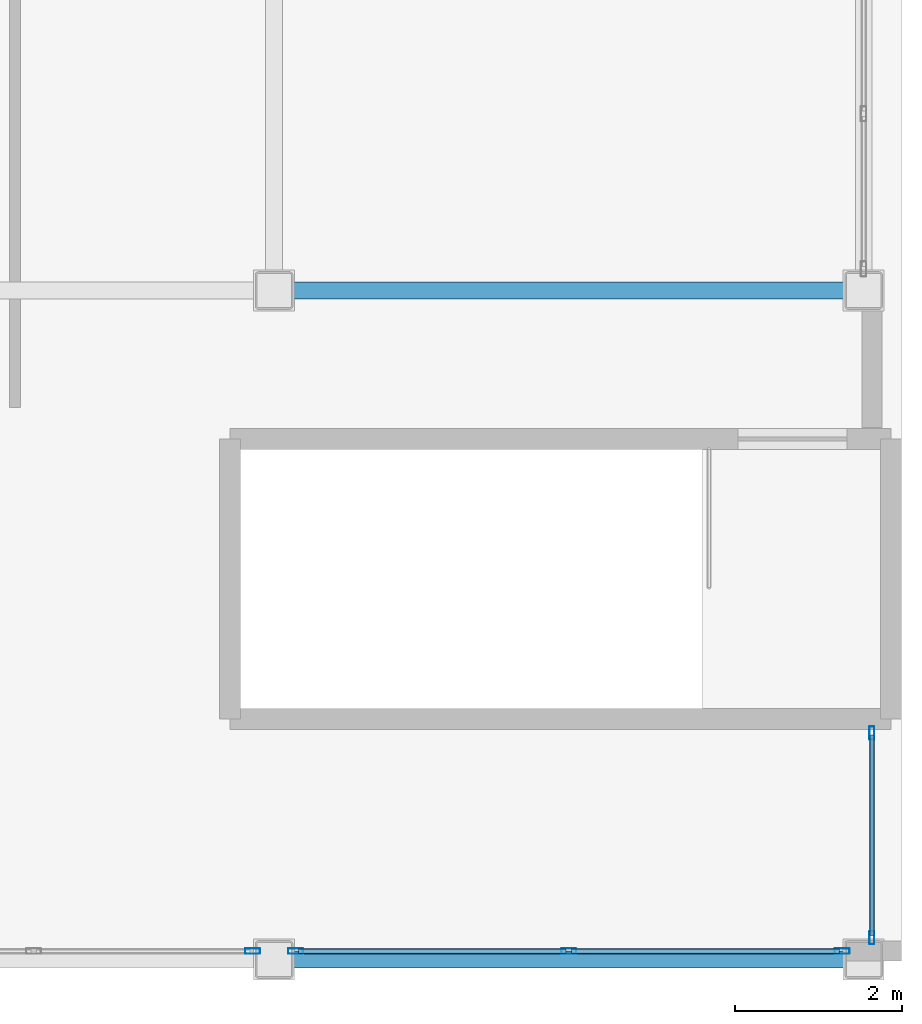
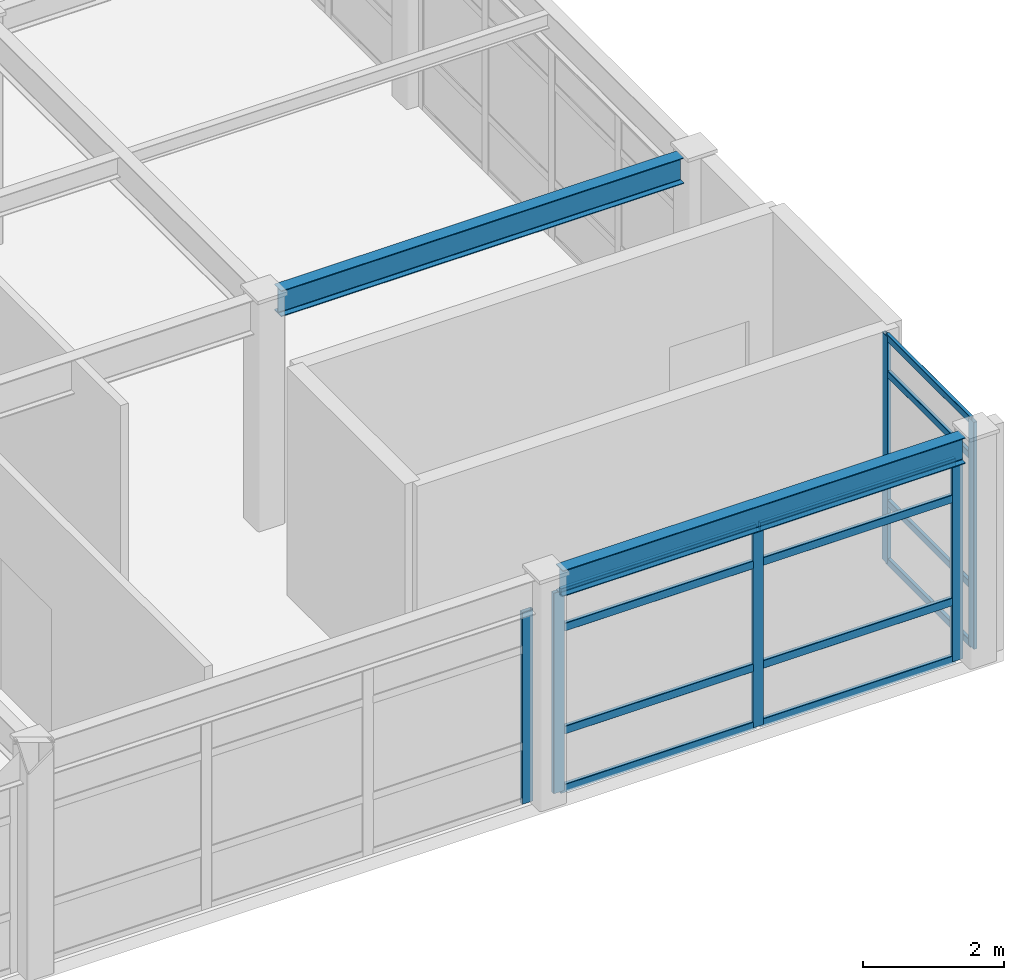
# One storey, part 7 of 34: 18 members, 2 beams, 3 elements without a shape of their own.
"""IFC4 building model written with IfcOpenShell, lengths in metres."""

from ifc_helpers import new_model, si_unit, direction, frame, origin, origin_2d, place, context, subcontext, project, spatial, hollow_rectangle, i_section, extrude, material, layer, layer_set, material_profile, profile_set, type_object, element, aggregate, save


model = new_model("IFC4")

# Units and contexts
model_context = context("Model", 3, precision=1e-05, world=origin(), true_north=direction((0.0, 1.0)))
body_context = subcontext(model_context, "Body", "Model", "MODEL_VIEW")
ifc_project = project(units=[si_unit("LENGTHUNIT", "METRE"), si_unit("AREAUNIT", "SQUARE_METRE"), si_unit("VOLUMEUNIT", "CUBIC_METRE"), si_unit("PLANEANGLEUNIT", "RADIAN"), si_unit("MASSUNIT", "GRAM", prefix="KILO")], contexts=[model_context])

# Site, building, storey
site_placement = place(None, origin())
site = spatial("IfcSite", under=ifc_project, at=site_placement, CompositionType="ELEMENT")
building_placement = place(site_placement, origin())
building = spatial("IfcBuilding", under=site, at=building_placement, Name="Kazehara Bluff Congress Hotel", CompositionType="ELEMENT")
storey_placement = place(building_placement, frame((0.0, 0.0, 46.199951171875)))
storey = spatial("IfcBuildingStorey", under=building, at=storey_placement, Name="L11", CompositionType="ELEMENT", Elevation=46.199951171875)

# Curtain wall, members
ifc_material_1 = material(Name="Anodised aluminium", Category="aluminium")
ifc_layer_1 = layer(ifc_material_1, 0.159912109375)
ifc_layer_set_1 = layer_set([ifc_layer_1], Name="Anodised aluminium")
curtain_wall_type_1 = type_object("IfcCurtainWallType", Name="TP-CW-208", PredefinedType="NOTDEFINED", material=ifc_layer_set_1)
curtain_wall_1_placement = place(storey_placement, origin())
curtain_wall_1 = element("IfcCurtainWall", 1, at=curtain_wall_1_placement, inside=storey, type_object=curtain_wall_type_1, Name="L11 curtain wall CW-208 CW-ENC-V5-L11-16765-1748", PredefinedType="NOTDEFINED")
ifc_material_2 = material(Name="Anodised aluminium", Category="aluminium")
ifc_material_profile_1 = material_profile(ifc_material_2, hollow_rectangle(XDim=0.06005859375, YDim=0.159912109375, WallThickness=0.00390625, InnerFilletRadius=0.00390625, OuterFilletRadius=0.008056640625, at=origin_2d()))
ifc_profile_set_1 = profile_set([ifc_material_profile_1], Name="Anodised aluminium")
member_type_1 = type_object("IfcMemberType", Name="TP-CWM-01", PredefinedType="MULLION", material=ifc_profile_set_1)
member_1_placement = place(storey_placement, frame((167.64990234375, 18.7099609375, 0.0), z_axis=(0.0, 0.0, 1.0), x_axis=(1.0, 0.0, 0.0)))
member_1 = element("IfcMember", 2, at=member_1_placement, type_object=member_type_1, Name="CW-208 mullion 1", PredefinedType="MULLION", context=body_context, shape_type="SweptSolid", body=[
    extrude(hollow_rectangle(XDim=0.06005859375, YDim=0.159912109375, WallThickness=0.00390625, InnerFilletRadius=0.00390625, OuterFilletRadius=0.008056640625, at=origin_2d()), origin(), (0.0, 0.0, 1.0), 3.93505859375),
])
member_2_placement = place(storey_placement, frame((167.64990234375, 16.260009765625, 0.0), z_axis=(0.0, 0.0, 1.0), x_axis=(1.0, 0.0, 0.0)))
member_2 = element("IfcMember", 3, at=member_2_placement, type_object=member_type_1, Name="CW-208 mullion 2", PredefinedType="MULLION", context=body_context, shape_type="SweptSolid", body=[
    extrude(hollow_rectangle(XDim=0.06005859375, YDim=0.159912109375, WallThickness=0.00390625, InnerFilletRadius=0.00390625, OuterFilletRadius=0.008056640625, at=origin_2d()), origin(), (0.0, 0.0, 1.0), 3.93505859375),
])

# Curtain wall, member
ifc_material_3 = material(Name="Anodised aluminium", Category="aluminium")
ifc_layer_2 = layer(ifc_material_3, 0.159912109375)
ifc_layer_set_2 = layer_set([ifc_layer_2], Name="Anodised aluminium")
curtain_wall_type_2 = type_object("IfcCurtainWallType", Name="TP-CW-206", PredefinedType="NOTDEFINED", material=ifc_layer_set_2)
curtain_wall_2_placement = place(storey_placement, origin())
curtain_wall_2 = element("IfcCurtainWall", 4, at=curtain_wall_2_placement, inside=storey, type_object=curtain_wall_type_2, Name="L11 curtain wall CW-206 CW-ENC-V5-L11-15630-1610", PredefinedType="NOTDEFINED")
ifc_material_4 = material(Name="Anodised aluminium", Category="aluminium")
ifc_material_profile_2 = material_profile(ifc_material_4, hollow_rectangle(XDim=0.06494140625, YDim=0.179931640625, WallThickness=0.00390625, InnerFilletRadius=0.00390625, OuterFilletRadius=0.008056640625, at=origin_2d()))
ifc_profile_set_2 = profile_set([ifc_material_profile_2], Name="Anodised aluminium")
member_type_2 = type_object("IfcMemberType", Name="TP-CWM-02", PredefinedType="MULLION", material=ifc_profile_set_2)
member_3_placement = place(storey_placement, frame((160.242431640625, 16.10009765625, 0.0), z_axis=(0.0, 0.0, 1.0), x_axis=(0.0, -1.0, 0.0)))
member_3 = element("IfcMember", 5, at=member_3_placement, type_object=member_type_2, Name="CW-206 mullion 1", PredefinedType="MULLION", context=body_context, shape_type="SweptSolid", body=[
    extrude(hollow_rectangle(XDim=0.06494140625, YDim=0.179931640625, WallThickness=0.00390625, InnerFilletRadius=0.00390625, OuterFilletRadius=0.008056640625, at=origin_2d()), origin(), (0.0, 0.0, 1.0), 3.324951171875),
])
aggregate(curtain_wall_2, [member_3])

# Curtain wall, members
ifc_material_5 = material(Name="Anodised aluminium", Category="aluminium")
ifc_layer_3 = layer(ifc_material_5, 0.159912109375)
ifc_layer_set_3 = layer_set([ifc_layer_3], Name="Anodised aluminium")
curtain_wall_type_3 = type_object("IfcCurtainWallType", Name="TP-CW-207", PredefinedType="NOTDEFINED", material=ifc_layer_set_3)
curtain_wall_3_placement = place(storey_placement, origin())
curtain_wall_3 = element("IfcCurtainWall", 6, at=curtain_wall_3_placement, inside=storey, type_object=curtain_wall_type_3, Name="L11 curtain wall CW-207 CW-ENC-V5-L11-16402-1610", PredefinedType="NOTDEFINED")
member_4_placement = place(storey_placement, frame((167.29248046875, 16.10009765625, 0.0), z_axis=(0.0, 0.0, 1.0), x_axis=(0.0, -1.0, 0.0)))
member_4 = element("IfcMember", 7, at=member_4_placement, type_object=member_type_2, Name="CW-207 mullion 1", PredefinedType="MULLION", context=body_context, shape_type="SweptSolid", body=[
    extrude(hollow_rectangle(XDim=0.06494140625, YDim=0.179931640625, WallThickness=0.00390625, InnerFilletRadius=0.00390625, OuterFilletRadius=0.008056640625, at=origin_2d()), origin(), (0.0, 0.0, 1.0), 3.47509765625),
])
member_5_placement = place(storey_placement, frame((164.02490234375, 16.10009765625, 0.0), z_axis=(0.0, 0.0, 1.0), x_axis=(0.0, -1.0, 0.0)))
member_5 = element("IfcMember", 8, at=member_5_placement, type_object=member_type_2, Name="CW-207 mullion 2", PredefinedType="MULLION", context=body_context, shape_type="SweptSolid", body=[
    extrude(hollow_rectangle(XDim=0.06494140625, YDim=0.179931640625, WallThickness=0.00390625, InnerFilletRadius=0.00390625, OuterFilletRadius=0.008056640625, at=origin_2d()), origin(), (0.0, 0.0, 1.0), 3.47509765625),
])
member_6_placement = place(storey_placement, frame((160.757568359375, 16.10009765625, 0.0), z_axis=(0.0, 0.0, 1.0), x_axis=(0.0, -1.0, 0.0)))
member_6 = element("IfcMember", 9, at=member_6_placement, type_object=member_type_2, Name="CW-207 mullion 3", PredefinedType="MULLION", context=body_context, shape_type="SweptSolid", body=[
    extrude(hollow_rectangle(XDim=0.06494140625, YDim=0.179931640625, WallThickness=0.00390625, InnerFilletRadius=0.00390625, OuterFilletRadius=0.008056640625, at=origin_2d()), origin(), (0.0, 0.0, 1.0), 3.47509765625),
])

# Member
ifc_material_6 = material(Name="Anodised aluminium", Category="aluminium")
ifc_material_profile_3 = material_profile(ifc_material_6, hollow_rectangle(XDim=0.06005859375, YDim=0.1201171875, WallThickness=0.00390625, InnerFilletRadius=0.00390625, OuterFilletRadius=0.008056640625, at=origin_2d()))
ifc_profile_set_3 = profile_set([ifc_material_profile_3], Name="Anodised aluminium")
member_type_3 = type_object("IfcMemberType", Name="TP-CWT-01", PredefinedType="USERDEFINED", material=ifc_profile_set_3)
member_7_placement = place(storey_placement, frame((167.64990234375, 18.679931640625, 0.030029296875), z_axis=(0.0, -1.0, 0.0), x_axis=(1.0, 0.0, 0.0)))
member_7 = element("IfcMember", 10, at=member_7_placement, type_object=member_type_3, Name="CW-208 transom 1.1", ObjectType="TRANSOM", PredefinedType="USERDEFINED", context=body_context, shape_type="SweptSolid", body=[
    extrude(hollow_rectangle(XDim=0.06005859375, YDim=0.1201171875, WallThickness=0.00390625, InnerFilletRadius=0.00390625, OuterFilletRadius=0.008056640625, at=origin_2d()), origin(), (0.0, 0.0, 1.0), 2.389892578125),
])

member_8_placement = place(storey_placement, frame((167.64990234375, 18.679931640625, 1.050048828125), z_axis=(0.0, -1.0, 0.0), x_axis=(1.0, 0.0, 0.0)))
member_8 = element("IfcMember", 11, at=member_8_placement, type_object=member_type_3, Name="CW-208 transom 1.2", ObjectType="TRANSOM", PredefinedType="USERDEFINED", context=body_context, shape_type="SweptSolid", body=[
    extrude(hollow_rectangle(XDim=0.06005859375, YDim=0.1201171875, WallThickness=0.00390625, InnerFilletRadius=0.00390625, OuterFilletRadius=0.008056640625, at=origin_2d()), origin(), (0.0, 0.0, 1.0), 2.389892578125),
])

member_9_placement = place(storey_placement, frame((167.64990234375, 18.679931640625, 3.28515625), z_axis=(0.0, -1.0, 0.0), x_axis=(1.0, 0.0, 0.0)))
member_9 = element("IfcMember", 12, at=member_9_placement, type_object=member_type_3, Name="CW-208 transom 1.3", ObjectType="TRANSOM", PredefinedType="USERDEFINED", context=body_context, shape_type="SweptSolid", body=[
    extrude(hollow_rectangle(XDim=0.06005859375, YDim=0.1201171875, WallThickness=0.00390625, InnerFilletRadius=0.00390625, OuterFilletRadius=0.008056640625, at=origin_2d()), origin(), (0.0, 0.0, 1.0), 2.389892578125),
])

member_10_placement = place(storey_placement, frame((167.64990234375, 18.679931640625, 3.905029296875), z_axis=(0.0, -1.0, 0.0), x_axis=(1.0, 0.0, 0.0)))
member_10 = element("IfcMember", 13, at=member_10_placement, type_object=member_type_3, Name="CW-208 transom 1.4", ObjectType="TRANSOM", PredefinedType="USERDEFINED", context=body_context, shape_type="SweptSolid", body=[
    extrude(hollow_rectangle(XDim=0.06005859375, YDim=0.1201171875, WallThickness=0.00390625, InnerFilletRadius=0.00390625, OuterFilletRadius=0.008056640625, at=origin_2d()), origin(), (0.0, 0.0, 1.0), 2.389892578125),
])

aggregate(curtain_wall_1, [member_1, member_2, member_7, member_8, member_9, member_10])

ifc_material_7 = material(Name="Anodised aluminium", Category="aluminium")
ifc_material_profile_4 = material_profile(ifc_material_7, hollow_rectangle(XDim=0.06494140625, YDim=0.139892578125, WallThickness=0.00390625, InnerFilletRadius=0.00390625, OuterFilletRadius=0.008056640625, at=origin_2d()))
ifc_profile_set_4 = profile_set([ifc_material_profile_4], Name="Anodised aluminium")
member_type_4 = type_object("IfcMemberType", Name="TP-CWT-02", PredefinedType="USERDEFINED", material=ifc_profile_set_4)
member_11_placement = place(storey_placement, frame((167.260009765625, 16.10009765625, 0.032470703125), z_axis=(-1.0, 0.0, 0.0), x_axis=(0.0, -1.0, 0.0)))
member_11 = element("IfcMember", 14, at=member_11_placement, type_object=member_type_4, Name="CW-207 transom 1.1", ObjectType="TRANSOM", PredefinedType="USERDEFINED", context=body_context, shape_type="SweptSolid", body=[
    extrude(hollow_rectangle(XDim=0.06494140625, YDim=0.139892578125, WallThickness=0.00390625, InnerFilletRadius=0.00390625, OuterFilletRadius=0.008056640625, at=origin_2d()), origin(), (0.0, 0.0, 1.0), 3.202392578125),
])

member_12_placement = place(storey_placement, frame((167.260009765625, 16.10009765625, 1.0400390625), z_axis=(-1.0, 0.0, 0.0), x_axis=(0.0, -1.0, 0.0)))
member_12 = element("IfcMember", 15, at=member_12_placement, type_object=member_type_4, Name="CW-207 transom 1.2", ObjectType="TRANSOM", PredefinedType="USERDEFINED", context=body_context, shape_type="SweptSolid", body=[
    extrude(hollow_rectangle(XDim=0.06494140625, YDim=0.139892578125, WallThickness=0.00390625, InnerFilletRadius=0.00390625, OuterFilletRadius=0.008056640625, at=origin_2d()), origin(), (0.0, 0.0, 1.0), 3.202392578125),
])

member_13_placement = place(storey_placement, frame((167.260009765625, 16.10009765625, 2.824951171875), z_axis=(-1.0, 0.0, 0.0), x_axis=(0.0, -1.0, 0.0)))
member_13 = element("IfcMember", 16, at=member_13_placement, type_object=member_type_4, Name="CW-207 transom 1.3", ObjectType="TRANSOM", PredefinedType="USERDEFINED", context=body_context, shape_type="SweptSolid", body=[
    extrude(hollow_rectangle(XDim=0.06494140625, YDim=0.139892578125, WallThickness=0.00390625, InnerFilletRadius=0.00390625, OuterFilletRadius=0.008056640625, at=origin_2d()), origin(), (0.0, 0.0, 1.0), 3.202392578125),
])

member_14_placement = place(storey_placement, frame((167.260009765625, 16.10009765625, 3.442626953125), z_axis=(-1.0, 0.0, 0.0), x_axis=(0.0, -1.0, 0.0)))
member_14 = element("IfcMember", 17, at=member_14_placement, type_object=member_type_4, Name="CW-207 transom 1.4", ObjectType="TRANSOM", PredefinedType="USERDEFINED", context=body_context, shape_type="SweptSolid", body=[
    extrude(hollow_rectangle(XDim=0.06494140625, YDim=0.139892578125, WallThickness=0.00390625, InnerFilletRadius=0.00390625, OuterFilletRadius=0.008056640625, at=origin_2d()), origin(), (0.0, 0.0, 1.0), 3.202392578125),
])

member_15_placement = place(storey_placement, frame((163.992431640625, 16.10009765625, 0.032470703125), z_axis=(-1.0, 0.0, 0.0), x_axis=(0.0, -1.0, 0.0)))
member_15 = element("IfcMember", 18, at=member_15_placement, type_object=member_type_4, Name="CW-207 transom 2.1", ObjectType="TRANSOM", PredefinedType="USERDEFINED", context=body_context, shape_type="SweptSolid", body=[
    extrude(hollow_rectangle(XDim=0.06494140625, YDim=0.139892578125, WallThickness=0.00390625, InnerFilletRadius=0.00390625, OuterFilletRadius=0.008056640625, at=origin_2d()), origin(), (0.0, 0.0, 1.0), 3.202392578125),
])

member_16_placement = place(storey_placement, frame((163.992431640625, 16.10009765625, 1.0400390625), z_axis=(-1.0, 0.0, 0.0), x_axis=(0.0, -1.0, 0.0)))
member_16 = element("IfcMember", 19, at=member_16_placement, type_object=member_type_4, Name="CW-207 transom 2.2", ObjectType="TRANSOM", PredefinedType="USERDEFINED", context=body_context, shape_type="SweptSolid", body=[
    extrude(hollow_rectangle(XDim=0.06494140625, YDim=0.139892578125, WallThickness=0.00390625, InnerFilletRadius=0.00390625, OuterFilletRadius=0.008056640625, at=origin_2d()), origin(), (0.0, 0.0, 1.0), 3.202392578125),
])

member_17_placement = place(storey_placement, frame((163.992431640625, 16.10009765625, 2.824951171875), z_axis=(-1.0, 0.0, 0.0), x_axis=(0.0, -1.0, 0.0)))
member_17 = element("IfcMember", 20, at=member_17_placement, type_object=member_type_4, Name="CW-207 transom 2.3", ObjectType="TRANSOM", PredefinedType="USERDEFINED", context=body_context, shape_type="SweptSolid", body=[
    extrude(hollow_rectangle(XDim=0.06494140625, YDim=0.139892578125, WallThickness=0.00390625, InnerFilletRadius=0.00390625, OuterFilletRadius=0.008056640625, at=origin_2d()), origin(), (0.0, 0.0, 1.0), 3.202392578125),
])

member_18_placement = place(storey_placement, frame((163.992431640625, 16.10009765625, 3.442626953125), z_axis=(-1.0, 0.0, 0.0), x_axis=(0.0, -1.0, 0.0)))
member_18 = element("IfcMember", 21, at=member_18_placement, type_object=member_type_4, Name="CW-207 transom 2.4", ObjectType="TRANSOM", PredefinedType="USERDEFINED", context=body_context, shape_type="SweptSolid", body=[
    extrude(hollow_rectangle(XDim=0.06494140625, YDim=0.139892578125, WallThickness=0.00390625, InnerFilletRadius=0.00390625, OuterFilletRadius=0.008056640625, at=origin_2d()), origin(), (0.0, 0.0, 1.0), 3.202392578125),
])

aggregate(curtain_wall_3, [member_4, member_5, member_6, member_11, member_12, member_13, member_14, member_15, member_16, member_17, member_18])

# Beams
ifc_material_8 = material(Name="Steel SN490B", Category="steel")
ifc_material_profile_5 = material_profile(ifc_material_8, i_section(OverallWidth=0.199951171875, OverallDepth=0.449951171875, WebThickness=0.009033203125, FlangeThickness=0.013916015625, FilletRadius=0.012939453125, at=origin_2d()))
ifc_profile_set_5 = profile_set([ifc_material_profile_5], Name="Steel SN490B")
beam_type = type_object("IfcBeamType", Name="TP-G-11", PredefinedType="BEAM", material=ifc_profile_set_5)
for number, where, z_axis, x_axis, name in (
    (22, (160.72509765625, 16.0, 3.72509765625), (1.0, 0.0, 0.0), (0.0, 1.0, 0.0), "L11 girder G-11 27"),
    (23, (160.72509765625, 24.0, 3.72509765625), (1.0, 0.0, 0.0), (0.0, 1.0, 0.0), "L11 girder G-11 30"),
):
    element("IfcBeam", number, at=place(storey_placement, frame(where, z_axis=z_axis, x_axis=x_axis)), inside=storey, type_object=beam_type, Name=name, PredefinedType="BEAM", context=body_context, shape_type="SweptSolid", body=[
        extrude(i_section(OverallWidth=0.199951171875, OverallDepth=0.449951171875, WebThickness=0.009033203125, FlangeThickness=0.013916015625, FilletRadius=0.012939453125, at=origin_2d()), origin(), (0.0, 0.0, 1.0), 6.599853515625),
    ])

save(model, "model.ifc")
